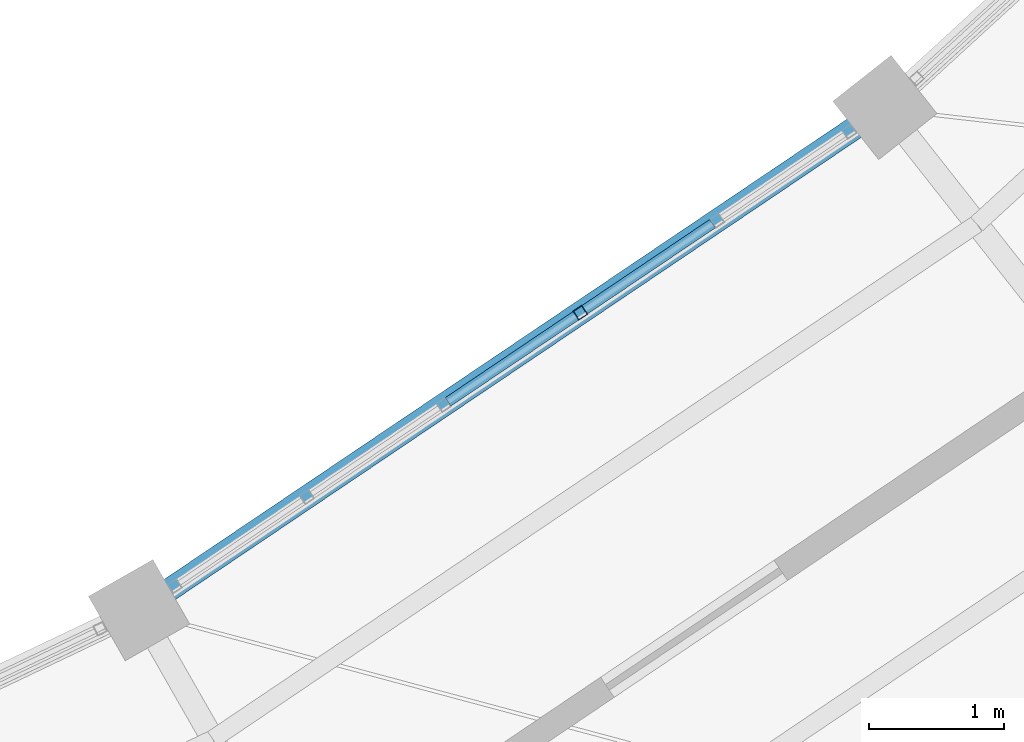
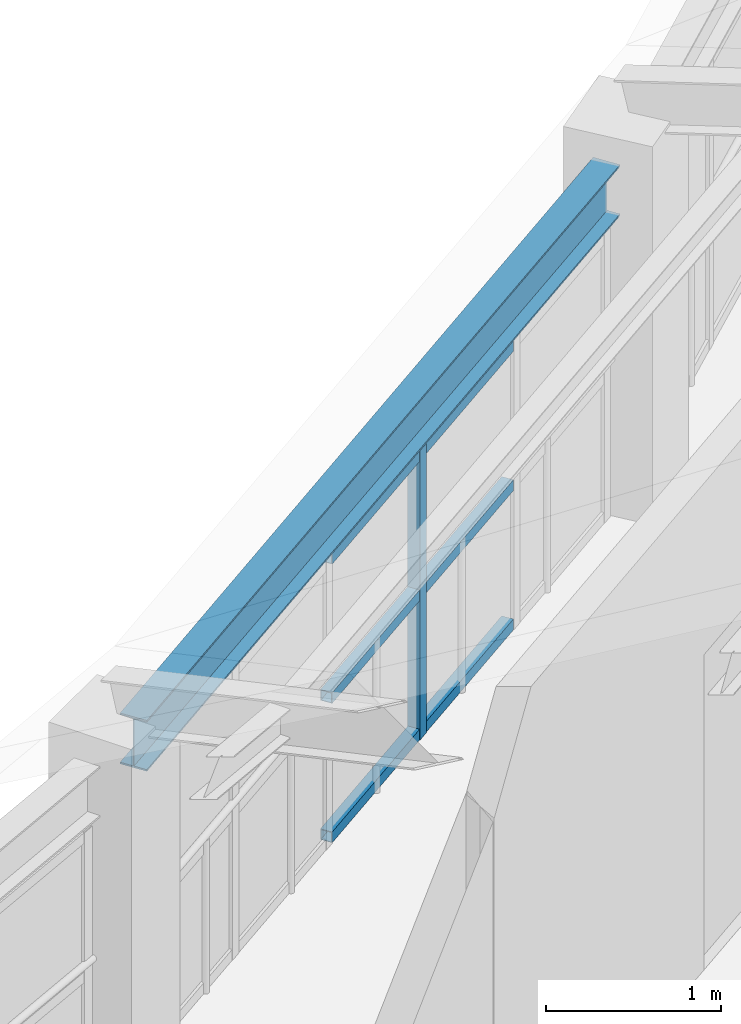
# One storey, part 47 of 149: 7 members, 1 beam, 1 element without a shape of its own.
"""IFC4 building model written with IfcOpenShell, lengths in metres."""

from ifc_helpers import new_model, si_unit, direction, frame, origin, origin_2d, place, context, subcontext, project, spatial, hollow_rectangle, i_section, extrude, material, material_profile, profile_set, type_object, element, aggregate, save


model = new_model("IFC4")

# Units and contexts
model_context = context("Model", 3, precision=1e-05, world=origin(), true_north=direction((0.0, 1.0)))
body_context = subcontext(model_context, "Body", "Model", "MODEL_VIEW")
ifc_project = project(units=[si_unit("LENGTHUNIT", "METRE"), si_unit("AREAUNIT", "SQUARE_METRE"), si_unit("VOLUMEUNIT", "CUBIC_METRE"), si_unit("PLANEANGLEUNIT", "RADIAN"), si_unit("MASSUNIT", "GRAM", prefix="KILO")], contexts=[model_context])

# Site, building, storey
site_placement = place(None, origin())
site = spatial("IfcSite", under=ifc_project, at=site_placement, CompositionType="ELEMENT")
building_placement = place(site_placement, origin())
building = spatial("IfcBuilding", under=site, at=building_placement, Name="Celadon Cloister-Ring School", CompositionType="ELEMENT")
storey_placement = place(building_placement, frame((0.0, 0.0, 12.5)))
storey = spatial("IfcBuildingStorey", under=building, at=storey_placement, Name="L03", CompositionType="ELEMENT", Elevation=12.5)

# Curtain wall, members
ifc_material_1 = material(Name="Aluminium EN AW-6063 T6", Category="aluminium")
curtain_wall_type = type_object("IfcCurtainWallType", Name="CW-02", PredefinedType="USERDEFINED", material=ifc_material_1)
curtain_wall_placement = place(storey_placement, origin())
curtain_wall = element("IfcCurtainWall", 1, at=curtain_wall_placement, inside=storey, type_object=curtain_wall_type, Name="Curtain Wall 0065", ObjectType="CURTAIN WALL", PredefinedType="USERDEFINED")
ifc_material_2 = material(Name="Aluminium EN AW-6063 T6", Category="aluminium")
ifc_material_profile_1 = material_profile(ifc_material_2, hollow_rectangle(XDim=0.080078125, YDim=0.080078125, WallThickness=0.00390625, at=origin_2d()), Name="RHS80X80X4")
ifc_profile_set_1 = profile_set([ifc_material_profile_1], Name="Aluminium EN AW-6063 T6")
member_type_1 = type_object("IfcMemberType", Name="CM-03", PredefinedType="MULLION", material=ifc_profile_set_1)
member_1_placement = place(storey_placement, frame((112.590576171875, 22.13037109375, 0.0), z_axis=(0.0, 0.0, 1.0), x_axis=(-0.558848567753, 0.829269725916, 0.0)))
member_1 = element("IfcMember", 2, at=member_1_placement, type_object=member_type_1, Name="CW-02 mullion 4", PredefinedType="MULLION", context=body_context, shape_type="SweptSolid", body=[
    extrude(hollow_rectangle(XDim=0.080078125, YDim=0.080078125, WallThickness=0.00390625, at=origin_2d()), origin(), (0.0, 0.0, 1.0), 2.02001953125),
])
ifc_material_3 = material(Name="Aluminium EN AW-6063 T6", Category="aluminium")
ifc_material_profile_2 = material_profile(ifc_material_3, hollow_rectangle(XDim=0.074951171875, YDim=0.074951171875, WallThickness=0.00390625, at=origin_2d()), Name="RHS75X75X4")
ifc_profile_set_2 = profile_set([ifc_material_profile_2], Name="Aluminium EN AW-6063 T6")
member_type_2 = type_object("IfcMemberType", Name="CTM-03", PredefinedType="USERDEFINED", material=ifc_profile_set_2)
member_2_placement = place(storey_placement, frame((111.610595703125, 21.469970703125, 0.03759765625), z_axis=(0.829210413566, 0.558936570671, 0.0), x_axis=(-0.558936570671, 0.829210413566, 0.0)))
member_2 = element("IfcMember", 3, at=member_2_placement, type_object=member_type_2, Name="CW-02 transom 3.1", ObjectType="TRANSOM", PredefinedType="USERDEFINED", context=body_context, shape_type="SweptSolid", body=[
    extrude(hollow_rectangle(XDim=0.074951171875, YDim=0.074951171875, WallThickness=0.00390625, at=origin_2d()), origin(), (0.0, 0.0, 1.0), 1.141845703125),
])
member_3_placement = place(storey_placement, frame((111.610595703125, 21.469970703125, 1.010009765625), z_axis=(0.829210413566, 0.558936570671, 0.0), x_axis=(-0.558936570671, 0.829210413566, 0.0)))
member_3 = element("IfcMember", 4, at=member_3_placement, type_object=member_type_2, Name="CW-02 transom 3.2", ObjectType="TRANSOM", PredefinedType="USERDEFINED", context=body_context, shape_type="SweptSolid", body=[
    extrude(hollow_rectangle(XDim=0.074951171875, YDim=0.074951171875, WallThickness=0.00390625, at=origin_2d()), origin(), (0.0, 0.0, 1.0), 1.141845703125),
])
member_4_placement = place(storey_placement, frame((111.610595703125, 21.469970703125, 1.982421875), z_axis=(0.829210413566, 0.558936570671, 0.0), x_axis=(-0.558936570671, 0.829210413566, 0.0)))
member_4 = element("IfcMember", 5, at=member_4_placement, type_object=member_type_2, Name="CW-02 transom 3.3", ObjectType="TRANSOM", PredefinedType="USERDEFINED", context=body_context, shape_type="SweptSolid", body=[
    extrude(hollow_rectangle(XDim=0.074951171875, YDim=0.074951171875, WallThickness=0.00390625, at=origin_2d()), origin(), (0.0, 0.0, 1.0), 1.141845703125),
])
member_5_placement = place(storey_placement, frame((112.623779296875, 22.15283203125, 0.03759765625), z_axis=(0.829309514783, 0.55878952092, 0.0), x_axis=(-0.55878952092, 0.829309514783, 0.0)))
member_5 = element("IfcMember", 6, at=member_5_placement, type_object=member_type_2, Name="CW-02 transom 4.1", ObjectType="TRANSOM", PredefinedType="USERDEFINED", context=body_context, shape_type="SweptSolid", body=[
    extrude(hollow_rectangle(XDim=0.074951171875, YDim=0.074951171875, WallThickness=0.00390625, at=origin_2d()), origin(), (0.0, 0.0, 1.0), 1.1416015625),
])
member_6_placement = place(storey_placement, frame((112.623779296875, 22.15283203125, 1.010009765625), z_axis=(0.829309514783, 0.55878952092, 0.0), x_axis=(-0.55878952092, 0.829309514783, 0.0)))
member_6 = element("IfcMember", 7, at=member_6_placement, type_object=member_type_2, Name="CW-02 transom 4.2", ObjectType="TRANSOM", PredefinedType="USERDEFINED", context=body_context, shape_type="SweptSolid", body=[
    extrude(hollow_rectangle(XDim=0.074951171875, YDim=0.074951171875, WallThickness=0.00390625, at=origin_2d()), origin(), (0.0, 0.0, 1.0), 1.1416015625),
])
member_7_placement = place(storey_placement, frame((112.623779296875, 22.15283203125, 1.982421875), z_axis=(0.829309514783, 0.55878952092, 0.0), x_axis=(-0.55878952092, 0.829309514783, 0.0)))
member_7 = element("IfcMember", 8, at=member_7_placement, type_object=member_type_2, Name="CW-02 transom 4.3", ObjectType="TRANSOM", PredefinedType="USERDEFINED", context=body_context, shape_type="SweptSolid", body=[
    extrude(hollow_rectangle(XDim=0.074951171875, YDim=0.074951171875, WallThickness=0.00390625, at=origin_2d()), origin(), (0.0, 0.0, 1.0), 1.1416015625),
])
aggregate(curtain_wall, [member_1, member_2, member_3, member_4, member_5, member_6, member_7])

# Beam
ifc_material_4 = material(Name="Structural steel S355JR", Category="steel")
ifc_material_profile_3 = material_profile(ifc_material_4, i_section(OverallWidth=0.1708984375, OverallDepth=0.35498046875, WebThickness=0.007080078125, FlangeThickness=0.01171875, at=origin_2d()), Name="W360X51")
ifc_profile_set_3 = profile_set([ifc_material_profile_3], Name="Structural steel S355JR")
beam_type = type_object("IfcBeamType", Name="GT-08", PredefinedType="USERDEFINED", material=ifc_profile_set_3)
beam_placement = place(storey_placement, frame((109.527099609375, 20.06591796875, 2.27197265625), z_axis=(0.82929315026, 0.558813807033, 0.0), x_axis=(-0.558813807033, 0.82929315026, 0.0)))
element("IfcBeam", 9, at=beam_placement, inside=storey, type_object=beam_type, Name="Beam 0564", ObjectType="GIRDER", PredefinedType="USERDEFINED", context=body_context, shape_type="SweptSolid", body=[
    extrude(i_section(OverallWidth=0.1708984375, OverallDepth=0.35498046875, WebThickness=0.007080078125, FlangeThickness=0.01171875, at=origin_2d()), origin(), (0.0, 0.0, 1.0), 6.166748046875),
])

save(model, "model.ifc")
